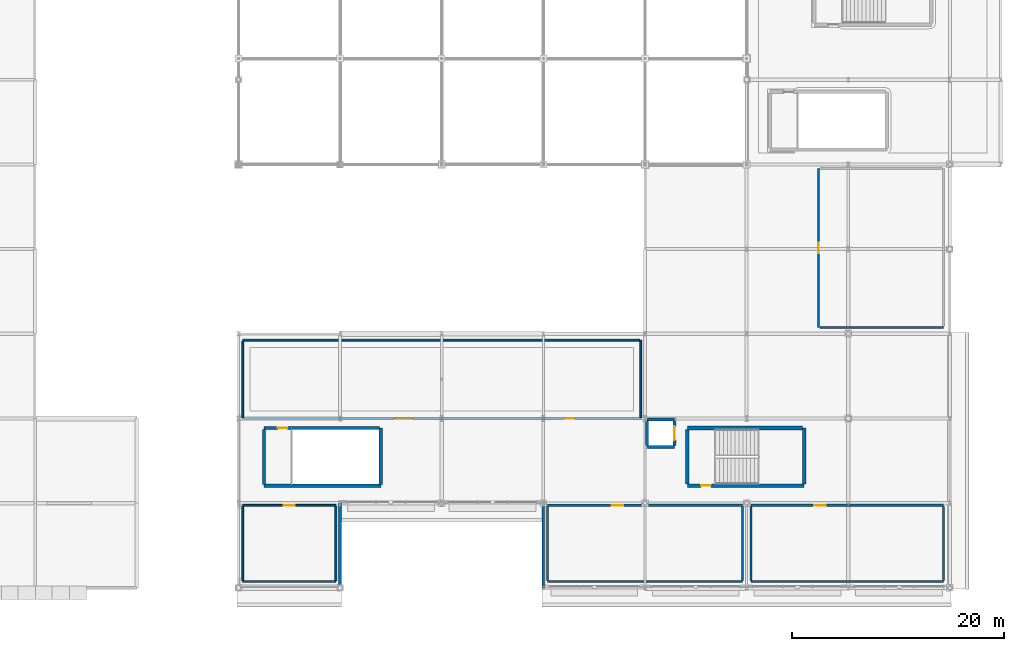
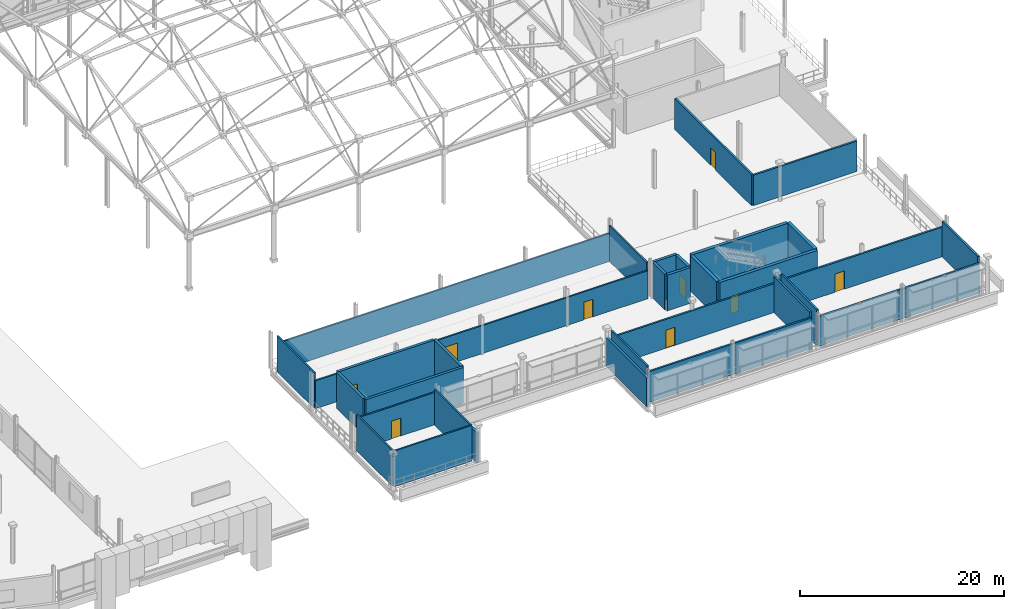
# One storey, part 155 of 193: 32 walls, 9 doors, 9 openings.
"""IFC4 building model written with IfcOpenShell, lengths in metres."""

from ifc_helpers import new_model, si_unit, direction, frame, frame_2d, origin, place, context, subcontext, project, spatial, rectangle, extrude, material, layer, layer_set, type_object, element, fill, save


model = new_model("IFC4")

# Units and contexts
model_context = context("Model", 3, precision=1e-05, world=origin(), true_north=direction((0.0, 1.0)))
body_context = subcontext(model_context, "Body", "Model", "MODEL_VIEW")
ifc_project = project(units=[si_unit("LENGTHUNIT", "METRE"), si_unit("AREAUNIT", "SQUARE_METRE"), si_unit("VOLUMEUNIT", "CUBIC_METRE"), si_unit("PLANEANGLEUNIT", "RADIAN"), si_unit("MASSUNIT", "GRAM", prefix="KILO")], contexts=[model_context])

# Site, building, storey
site_placement = place(None, origin())
site = spatial("IfcSite", under=ifc_project, at=site_placement, CompositionType="ELEMENT")
building_placement = place(site_placement, origin())
building = spatial("IfcBuilding", under=site, at=building_placement, Name="Danafjord Basin Convention Centre", CompositionType="ELEMENT")
storey_placement = place(building_placement, frame((0.0, 0.0, 11.39990234375)))
storey = spatial("IfcBuildingStorey", under=building, at=storey_placement, Name="L02", CompositionType="ELEMENT", Elevation=11.39990234375)

# Walls
ifc_material_1 = material(Name="Concrete C40/50", Category="concrete")
ifc_layer_1 = layer(ifc_material_1, 0.300048828125)
ifc_layer_set_1 = layer_set([ifc_layer_1], Name="Concrete C40/50")
wall_type_1 = type_object("IfcWallType", Name="WALL-CW-CORE300", PredefinedType="SHEAR", material=ifc_layer_set_1)
wall_1_placement = place(storey_placement, frame((146.39990234375, 9.64990234375, 0.0), z_axis=(0.0, 0.0, 1.0), x_axis=(1.0, 0.0, 0.0)))
element("IfcWall", 1, at=wall_1_placement, inside=storey, type_object=wall_type_1, Name="Harbour Pavilion West Escape Stair core shear wall (south)", PredefinedType="SHEAR", context=body_context, shape_type="SweptSolid", body=[
    extrude(rectangle(XDim=11.0400390625, YDim=0.300048828125, at=frame_2d((5.52001953125, 0.0))), origin(), (0.0, 0.0, 1.0), 4.274169921875),
])
wall_2_placement = place(storey_placement, frame((157.43994140625, 9.784912109375, 0.0), z_axis=(0.0, 0.0, 1.0), x_axis=(0.0, 1.0, 0.0)))
element("IfcWall", 2, at=wall_2_placement, inside=storey, type_object=wall_type_1, Name="Harbour Pavilion West Escape Stair core shear wall (east)", PredefinedType="SHEAR", context=body_context, shape_type="SweptSolid", body=[
    extrude(rectangle(XDim=5.3251953125, YDim=0.300048828125, at=frame_2d((2.66259765625, 0.0))), origin(), (0.0, 0.0, 1.0), 4.276123046875),
])

# Wall, opening, door
wall_3_placement = place(storey_placement, frame((157.304931640625, 15.110107421875, 0.0), z_axis=(0.0, 0.0, 1.0), x_axis=(-1.0, 0.0, 0.0)))
wall_3 = element("IfcWall", 3, at=wall_3_placement, inside=storey, type_object=wall_type_1, Name="Harbour Pavilion West Escape Stair core shear wall (north)", PredefinedType="SHEAR", context=body_context, shape_type="SweptSolid", body=[
    extrude(rectangle(XDim=10.905029296875, YDim=0.300048828125, at=frame_2d((5.45263671875, 0.0))), origin(), (0.0, 0.0, 1.0), 4.274169921875),
])
opening_1_placement = place(wall_3_placement, frame((8.68408203125, 0.0, 0.0)))
opening_1 = element("IfcOpeningElement", 4, at=opening_1_placement, cuts=wall_3, Name="Opening FD-S01", PredefinedType="OPENING", context=body_context, shape_type="SweptSolid", body=[
    extrude(rectangle(XDim=0.909912109375, YDim=2.080078125, at=frame_2d((0.455078125, 1.0400390625))), frame((0.0, 0.159912109375, 0.0), z_axis=(0.0, -1.0, 0.0), x_axis=(1.0, 0.0, 0.0)), (0.0, 0.0, 1.0), 0.320068359375),
])
ifc_material_2 = material(Name="Powder-coated steel and Nordic oak", Category="steel")
door_type_1 = type_object("IfcDoorType", Name="DOOR-FD-S01", OperationType="NOTDEFINED", PredefinedType="DOOR", material=ifc_material_2)
door_1_placement = place(opening_1_placement, origin())
door_1 = element("IfcDoor", 5, at=door_1_placement, inside=storey, type_object=door_type_1, Name="Harbour Pavilion West Escape Stair L02 Fire Exit Door", OperationType="SINGLE_SWING_LEFT", OverallHeight=2.080078125, OverallWidth=0.909912109375, PredefinedType="DOOR", context=body_context, shape_type="SweptSolid", body=[
    extrude(rectangle(XDim=0.909912109375, YDim=2.080078125, at=frame_2d((0.455078125, 1.0400390625))), frame((0.0, 0.02490234375, 0.0), z_axis=(0.0, -1.0, 0.0), x_axis=(1.0, 0.0, 0.0)), (0.0, 0.0, 1.0), 0.050048828125),
])
fill(opening_1, door_1)

# Walls
wall_4_placement = place(storey_placement, frame((146.39990234375, 14.97509765625, 0.0), z_axis=(0.0, 0.0, 1.0), x_axis=(0.0, -1.0, 0.0)))
element("IfcWall", 6, at=wall_4_placement, inside=storey, type_object=wall_type_1, Name="Harbour Pavilion West Escape Stair core shear wall (west)", PredefinedType="SHEAR", context=body_context, shape_type="SweptSolid", body=[
    extrude(rectangle(XDim=5.190185546875, YDim=0.300048828125, at=frame_2d((2.59521484375, 0.0))), origin(), (0.0, 0.0, 1.0), 4.274169921875),
])
for number, where, z_axis, x_axis, name in (
    (7, (185.199951171875, 15.89990234375, 0.0), (0.0, 0.0, 1.0), (-1.0, 0.0, 0.0), "Lift LF-P06 shaft shear wall"),
    (8, (182.60009765625, 13.300048828125, 0.0), (0.0, 0.0, 1.0), (1.0, 0.0, 0.0), "Lift LF-P06 shaft shear wall"),
):
    element("IfcWall", number, at=place(storey_placement, frame(where, z_axis=z_axis, x_axis=x_axis)), inside=storey, type_object=wall_type_1, Name=name, PredefinedType="SHEAR", context=body_context, shape_type="SweptSolid", body=[
        extrude(rectangle(XDim=2.599853515625, YDim=0.300048828125, at=frame_2d((1.2998046875, 0.0))), origin(), (0.0, 0.0, 1.0), 4.276123046875),
    ])

# Wall, opening, door
wall_5_placement = place(storey_placement, frame((185.199951171875, 13.43505859375, 0.0), z_axis=(0.0, 0.0, 1.0), x_axis=(0.0, 1.0, 0.0)))
wall_5 = element("IfcWall", 9, at=wall_5_placement, inside=storey, type_object=wall_type_1, Name="Lift LF-P06 shaft shear wall", PredefinedType="SHEAR", context=body_context, shape_type="SweptSolid", body=[
    extrude(rectangle(XDim=2.329833984375, YDim=0.300048828125, at=frame_2d((1.1650390625, 0.0))), origin(), (0.0, 0.0, 1.0), 4.276123046875),
])
opening_2_placement = place(wall_5_placement, frame((0.514892578125, 0.0, 0.0)))
opening_2 = element("IfcOpeningElement", 10, at=opening_2_placement, cuts=wall_5, Name="Opening LD-P02", PredefinedType="OPENING", context=body_context, shape_type="SweptSolid", body=[
    extrude(rectangle(XDim=1.300048828125, YDim=2.219970703125, at=frame_2d((0.64990234375, 1.10986328125))), frame((0.0, 0.159912109375, 0.0), z_axis=(0.0, -1.0, 0.0), x_axis=(1.0, 0.0, 0.0)), (0.0, 0.0, 1.0), 0.320068359375),
])
ifc_material_3 = material(Name="Brushed stainless steel and acoustic laminated glass", Category="steel")
door_type_2 = type_object("IfcDoorType", Name="DOOR-LD-P02", OperationType="DOUBLE_DOOR_SLIDING", PredefinedType="DOOR", material=ifc_material_3)
door_2_placement = place(opening_2_placement, origin())
door_2 = element("IfcDoor", 11, at=door_2_placement, inside=storey, type_object=door_type_2, Name="Lift LF-P06 L02 Landing Door", OperationType="DOUBLE_DOOR_SLIDING", OverallHeight=2.219970703125, OverallWidth=1.300048828125, PredefinedType="DOOR", context=body_context, shape_type="SweptSolid", body=[
    extrude(rectangle(XDim=1.300048828125, YDim=2.219970703125, at=frame_2d((0.64990234375, 1.10986328125))), frame((0.0, 0.02490234375, 0.0), z_axis=(0.0, -1.0, 0.0), x_axis=(1.0, 0.0, 0.0)), (0.0, 0.0, 1.0), 0.050048828125),
])
fill(opening_2, door_2)

# Wall
wall_6_placement = place(storey_placement, frame((182.60009765625, 15.764892578125, 0.0), z_axis=(0.0, 0.0, 1.0), x_axis=(0.0, -1.0, 0.0)))
element("IfcWall", 12, at=wall_6_placement, inside=storey, type_object=wall_type_1, Name="Lift LF-P06 shaft shear wall", PredefinedType="SHEAR", context=body_context, shape_type="SweptSolid", body=[
    extrude(rectangle(XDim=2.329833984375, YDim=0.300048828125, at=frame_2d((1.1650390625, 0.0))), origin(), (0.0, 0.0, 1.0), 4.276123046875),
])

# Wall, opening, door
ifc_material_4 = material(Name="Concrete C45/55", Category="concrete")
ifc_layer_2 = layer(ifc_material_4, 0.35009765625)
ifc_layer_set_2 = layer_set([ifc_layer_2], Name="Concrete C45/55")
wall_type_2 = type_object("IfcWallType", Name="WALL-CW-CORE350", PredefinedType="SHEAR", material=ifc_layer_set_2)
wall_7_placement = place(storey_placement, frame((186.39990234375, 9.64990234375, 0.0), z_axis=(0.0, 0.0, 1.0), x_axis=(1.0, 0.0, 0.0)))
wall_7 = element("IfcWall", 13, at=wall_7_placement, inside=storey, type_object=wall_type_2, Name="Harbour Pavilion Core Stair 1 core shear wall (south)", PredefinedType="SHEAR", context=body_context, shape_type="SweptSolid", body=[
    extrude(rectangle(XDim=11.0400390625, YDim=0.35009765625, at=frame_2d((5.52001953125, 0.0))), origin(), (0.0, 0.0, 1.0), 4.276123046875),
])
opening_3_placement = place(wall_7_placement, frame((1.31201171875, 0.0, 0.0)))
opening_3 = element("IfcOpeningElement", 14, at=opening_3_placement, cuts=wall_7, Name="Opening FD-S01", PredefinedType="OPENING", context=body_context, shape_type="SweptSolid", body=[
    extrude(rectangle(XDim=0.909912109375, YDim=2.080078125, at=frame_2d((0.455078125, 1.0400390625))), frame((0.0, 0.18505859375, 0.0), z_axis=(0.0, -1.0, 0.0), x_axis=(1.0, 0.0, 0.0)), (0.0, 0.0, 1.0), 0.3701171875),
])
door_3_placement = place(opening_3_placement, origin())
door_3 = element("IfcDoor", 15, at=door_3_placement, inside=storey, type_object=door_type_1, Name="Harbour Pavilion Core Stair 1 L02 Fire Exit Door", OperationType="SINGLE_SWING_RIGHT", OverallHeight=2.080078125, OverallWidth=0.909912109375, PredefinedType="DOOR", context=body_context, shape_type="SweptSolid", body=[
    extrude(rectangle(XDim=0.909912109375, YDim=2.080078125, at=frame_2d((0.455078125, 1.0400390625))), frame((0.0, 0.02490234375, 0.0), z_axis=(0.0, -1.0, 0.0), x_axis=(1.0, 0.0, 0.0)), (0.0, 0.0, 1.0), 0.050048828125),
])
fill(opening_3, door_3)

# Walls
wall_8_placement = place(storey_placement, frame((197.43994140625, 9.81005859375, 0.0), z_axis=(0.0, 0.0, 1.0), x_axis=(0.0, 1.0, 0.0)))
element("IfcWall", 16, at=wall_8_placement, inside=storey, type_object=wall_type_2, Name="Harbour Pavilion Core Stair 1 core shear wall (east)", PredefinedType="SHEAR", context=body_context, shape_type="SweptSolid", body=[
    extrude(rectangle(XDim=5.300048828125, YDim=0.35009765625, at=frame_2d((2.64990234375, 0.0))), origin(), (0.0, 0.0, 1.0), 4.276123046875),
])
wall_9_placement = place(storey_placement, frame((197.280029296875, 15.110107421875, 0.0), z_axis=(0.0, 0.0, 1.0), x_axis=(-1.0, 0.0, 0.0)))
element("IfcWall", 17, at=wall_9_placement, inside=storey, type_object=wall_type_2, Name="Harbour Pavilion Core Stair 1 core shear wall (north)", PredefinedType="SHEAR", context=body_context, shape_type="SweptSolid", body=[
    extrude(rectangle(XDim=10.880126953125, YDim=0.35009765625, at=frame_2d((5.43994140625, 0.0))), origin(), (0.0, 0.0, 1.0), 4.276123046875),
])
wall_10_placement = place(storey_placement, frame((186.39990234375, 14.949951171875, 0.0), z_axis=(0.0, 0.0, 1.0), x_axis=(0.0, -1.0, 0.0)))
element("IfcWall", 18, at=wall_10_placement, inside=storey, type_object=wall_type_2, Name="Harbour Pavilion Core Stair 1 core shear wall (west)", PredefinedType="SHEAR", context=body_context, shape_type="SweptSolid", body=[
    extrude(rectangle(XDim=5.139892578125, YDim=0.35009765625, at=frame_2d((2.56982421875, 0.0))), origin(), (0.0, 0.0, 1.0), 4.276123046875),
])
ifc_material_5 = material(Name="Concrete C35/45", Category="concrete")
ifc_layer_3 = layer(ifc_material_5, 0.260009765625)
ifc_layer_set_3 = layer_set([ifc_layer_3], Name="Concrete C35/45")
wall_type_3 = type_object("IfcWallType", Name="WALL-EW-STD260", PredefinedType="STANDARD", material=ifc_layer_set_3)
wall_11_placement = place(storey_placement, frame((153.60009765625, 0.0, 0.0), z_axis=(0.0, 0.0, 1.0), x_axis=(0.0, 1.0, 0.0)))
element("IfcWall", 19, at=wall_11_placement, inside=storey, type_object=wall_type_3, Name="Harbour entry court west cheek wall", PredefinedType="STANDARD", context=body_context, shape_type="SweptSolid", body=[
    extrude(rectangle(XDim=8.0, YDim=0.260009765625, at=frame_2d((4.0, 0.0))), origin(), (0.0, 0.0, 1.0), 3.593994140625),
])
wall_12_placement = place(storey_placement, frame((172.800048828125, 0.0, 0.0), z_axis=(0.0, 0.0, 1.0), x_axis=(0.0, 1.0, 0.0)))
element("IfcWall", 20, at=wall_12_placement, inside=storey, type_object=wall_type_3, Name="Harbour entry court east cheek wall", PredefinedType="STANDARD", context=body_context, shape_type="SweptSolid", body=[
    extrude(rectangle(XDim=8.0, YDim=0.260009765625, at=frame_2d((4.0, 0.0))), origin(), (0.0, 0.0, 1.0), 3.446044921875),
])

# Wall, openings, doors
ifc_material_6 = material(Name="Acoustic double-board gypsum stud partition")
ifc_layer_4 = layer(ifc_material_6, 0.175048828125)
ifc_layer_set_4 = layer_set([ifc_layer_4], Name="Acoustic double-board gypsum stud partition")
wall_type_4 = type_object("IfcWallType", Name="WALL-PT-AC175", PredefinedType="PARTITIONING", material=ifc_layer_set_4)
wall_13_placement = place(storey_placement, frame((144.39990234375, 16.0, 0.0), z_axis=(0.0, 0.0, 1.0), x_axis=(1.0, 0.0, 0.0)))
wall_13 = element("IfcWall", 21, at=wall_13_placement, inside=storey, type_object=wall_type_4, Name="Danafjord Delegate Dining Restaurant south partition", PredefinedType="PARTITIONING", context=body_context, shape_type="SweptSolid", body=[
    extrude(rectangle(XDim=37.60009765625, YDim=0.175048828125, at=frame_2d((18.800048828125, 0.0))), origin(), (0.0, 0.0, 1.0), 3.34619140625),
])
opening_4_placement = place(wall_13_placement, frame((14.35205078125, 0.0, 0.0)))
opening_4 = element("IfcOpeningElement", 22, at=opening_4_placement, cuts=wall_13, Name="Opening FD-D03", PredefinedType="OPENING", context=body_context, shape_type="SweptSolid", body=[
    extrude(rectangle(XDim=1.719970703125, YDim=2.239990234375, at=frame_2d((0.85986328125, 1.1201171875))), frame((0.0, 0.097412109375, 0.0), z_axis=(0.0, -1.0, 0.0), x_axis=(1.0, 0.0, 0.0)), (0.0, 0.0, 1.0), 0.195068359375),
])
opening_5_placement = place(wall_13_placement, frame((30.3779296875, 0.0, 0.0)))
opening_5 = element("IfcOpeningElement", 23, at=opening_5_placement, cuts=wall_13, Name="Opening FD-S04", PredefinedType="OPENING", context=body_context, shape_type="SweptSolid", body=[
    extrude(rectangle(XDim=1.0, YDim=2.1201171875, at=frame_2d((0.5, 1.06005859375))), frame((0.0, 0.097412109375, 0.0), z_axis=(0.0, -1.0, 0.0), x_axis=(1.0, 0.0, 0.0)), (0.0, 0.0, 1.0), 0.195068359375),
])
door_type_3 = type_object("IfcDoorType", Name="DOOR-FD-D03", OperationType="DOUBLE_DOOR_SINGLE_SWING", PredefinedType="DOOR", material=ifc_material_3)
door_4_placement = place(opening_4_placement, origin())
door_4 = element("IfcDoor", 24, at=door_4_placement, inside=storey, type_object=door_type_3, Name="Danafjord Delegate Dining Restaurant Entrance Door", OperationType="DOUBLE_DOOR_SINGLE_SWING", OverallHeight=2.239990234375, OverallWidth=1.719970703125, PredefinedType="DOOR", context=body_context, shape_type="SweptSolid", body=[
    extrude(rectangle(XDim=1.719970703125, YDim=2.239990234375, at=frame_2d((0.85986328125, 1.1201171875))), frame((0.0, 0.02490234375, 0.0), z_axis=(0.0, -1.0, 0.0), x_axis=(1.0, 0.0, 0.0)), (0.0, 0.0, 1.0), 0.050048828125),
])
fill(opening_4, door_4)
door_type_4 = type_object("IfcDoorType", Name="DOOR-FD-S04", OperationType="NOTDEFINED", PredefinedType="DOOR", material=ifc_material_2)
door_5_placement = place(opening_5_placement, origin())
door_5 = element("IfcDoor", 25, at=door_5_placement, inside=storey, type_object=door_type_4, Name="Danafjord Delegate Dining Restaurant Secondary Exit Door", OperationType="SINGLE_SWING_LEFT", OverallHeight=2.1201171875, OverallWidth=1.0, PredefinedType="DOOR", context=body_context, shape_type="SweptSolid", body=[
    extrude(rectangle(XDim=1.0, YDim=2.1201171875, at=frame_2d((0.5, 1.06005859375))), frame((0.0, 0.02490234375, 0.0), z_axis=(0.0, -1.0, 0.0), x_axis=(1.0, 0.0, 0.0)), (0.0, 0.0, 1.0), 0.050048828125),
])
fill(opening_5, door_5)

# Walls
wall_14_placement = place(storey_placement, frame((182.0, 16.091552734375, 0.0), z_axis=(0.0, 0.0, 1.0), x_axis=(0.0, 1.0, 0.0)))
element("IfcWall", 26, at=wall_14_placement, inside=storey, type_object=wall_type_4, Name="Danafjord Delegate Dining Restaurant east partition", PredefinedType="PARTITIONING", context=body_context, shape_type="SweptSolid", body=[
    extrude(rectangle(XDim=7.308349609375, YDim=0.175048828125, at=frame_2d((3.654296875, 0.0))), origin(), (0.0, 0.0, 1.0), 4.276123046875),
])
wall_15_placement = place(storey_placement, frame((181.908447265625, 23.39990234375, 0.0), z_axis=(0.0, 0.0, 1.0), x_axis=(-1.0, 0.0, 0.0)))
element("IfcWall", 27, at=wall_15_placement, inside=storey, type_object=wall_type_4, Name="Danafjord Delegate Dining Restaurant north partition", PredefinedType="PARTITIONING", context=body_context, shape_type="SweptSolid", body=[
    extrude(rectangle(XDim=37.508544921875, YDim=0.175048828125, at=frame_2d((18.75439453125, 0.0))), origin(), (0.0, 0.0, 1.0), 3.34619140625),
])
wall_16_placement = place(storey_placement, frame((144.39990234375, 23.30859375, 0.0), z_axis=(0.0, 0.0, 1.0), x_axis=(0.0, -1.0, 0.0)))
element("IfcWall", 28, at=wall_16_placement, inside=storey, type_object=wall_type_4, Name="Danafjord Delegate Dining Restaurant west partition", PredefinedType="PARTITIONING", context=body_context, shape_type="SweptSolid", body=[
    extrude(rectangle(XDim=7.217041015625, YDim=0.175048828125, at=frame_2d((3.6083984375, 0.0))), origin(), (0.0, 0.0, 1.0), 4.274169921875),
])

# Wall, opening, door
wall_17_placement = place(storey_placement, frame((153.199951171875, 7.800048828125, 0.0), z_axis=(0.0, 0.0, 1.0), x_axis=(-1.0, 0.0, 0.0)))
wall_17 = element("IfcWall", 29, at=wall_17_placement, inside=storey, type_object=wall_type_4, Name="Speaker Press Reading Suite north partition", PredefinedType="PARTITIONING", context=body_context, shape_type="SweptSolid", body=[
    extrude(rectangle(XDim=8.800048828125, YDim=0.175048828125, at=frame_2d((4.39990234375, 0.0))), origin(), (0.0, 0.0, 1.0), 3.85400390625),
])
opening_6_placement = place(wall_17_placement, frame((3.885009765625, 0.0, 0.0)))
opening_6 = element("IfcOpeningElement", 30, at=opening_6_placement, cuts=wall_17, Name="Opening FD-S05", PredefinedType="OPENING", context=body_context, shape_type="SweptSolid", body=[
    extrude(rectangle(XDim=1.030029296875, YDim=2.139892578125, at=frame_2d((0.51513671875, 1.06982421875))), frame((0.0, 0.097412109375, 0.0), z_axis=(0.0, -1.0, 0.0), x_axis=(1.0, 0.0, 0.0)), (0.0, 0.0, 1.0), 0.195068359375),
])
door_type_5 = type_object("IfcDoorType", Name="DOOR-FD-S05", OperationType="NOTDEFINED", PredefinedType="DOOR", material=ifc_material_2)
door_6_placement = place(opening_6_placement, origin())
door_6 = element("IfcDoor", 31, at=door_6_placement, inside=storey, type_object=door_type_5, Name="Speaker Press Reading Suite Entrance Door", OperationType="SINGLE_SWING_RIGHT", OverallHeight=2.139892578125, OverallWidth=1.030029296875, PredefinedType="DOOR", context=body_context, shape_type="SweptSolid", body=[
    extrude(rectangle(XDim=1.030029296875, YDim=2.139892578125, at=frame_2d((0.51513671875, 1.06982421875))), frame((0.0, 0.02490234375, 0.0), z_axis=(0.0, -1.0, 0.0), x_axis=(1.0, 0.0, 0.0)), (0.0, 0.0, 1.0), 0.050048828125),
])
fill(opening_6, door_6)

# Walls
wall_18_placement = place(storey_placement, frame((144.39990234375, 0.60009765625, 0.0), z_axis=(0.0, 0.0, 1.0), x_axis=(1.0, 0.0, 0.0)))
element("IfcWall", 32, at=wall_18_placement, inside=storey, type_object=wall_type_4, Name="Speaker Press Reading Suite south partition", PredefinedType="PARTITIONING", context=body_context, shape_type="SweptSolid", body=[
    extrude(rectangle(XDim=8.800048828125, YDim=0.175048828125, at=frame_2d((4.39990234375, 0.0))), origin(), (0.0, 0.0, 1.0), 4.274169921875),
])
for number, where, z_axis, x_axis, name in (
    (33, (153.199951171875, 0.69140625, 0.0), (0.0, 0.0, 1.0), (0.0, 1.0, 0.0), "Speaker Press Reading Suite east partition"),
    (34, (144.39990234375, 7.70849609375, 0.0), (0.0, 0.0, 1.0), (0.0, -1.0, 0.0), "Speaker Press Reading Suite west partition"),
):
    element("IfcWall", number, at=place(storey_placement, frame(where, z_axis=z_axis, x_axis=x_axis)), inside=storey, type_object=wall_type_4, Name=name, PredefinedType="PARTITIONING", context=body_context, shape_type="SweptSolid", body=[
        extrude(rectangle(XDim=7.01708984375, YDim=0.175048828125, at=frame_2d((3.508544921875, 0.0))), origin(), (0.0, 0.0, 1.0), 4.274169921875),
    ])

# Wall, opening, door
ifc_layer_5 = layer(ifc_material_5, 0.205078125)
ifc_layer_set_5 = layer_set([ifc_layer_5], Name="Concrete C35/45")
wall_type_5 = type_object("IfcWallType", Name="WALL-W-COMP205", PredefinedType="SOLIDWALL", material=ifc_layer_set_5)
wall_19_placement = place(storey_placement, frame((198.800048828125, 39.60009765625, 0.0), z_axis=(0.0, 0.0, 1.0), x_axis=(0.0, -1.0, 0.0)))
wall_19 = element("IfcWall", 35, at=wall_19_placement, inside=storey, type_object=wall_type_5, Name="Delegate Dining Kitchen west partition", PredefinedType="SOLIDWALL", context=body_context, shape_type="SweptSolid", body=[
    extrude(rectangle(XDim=15.0, YDim=0.205078125, at=frame_2d((7.5, 0.0))), origin(), (0.0, 0.0, 1.0), 3.734130859375),
])
opening_7_placement = place(wall_19_placement, frame((7.014892578125, 0.0, 0.0)))
opening_7 = element("IfcOpeningElement", 36, at=opening_7_placement, cuts=wall_19, Name="Opening FD-S03", PredefinedType="OPENING", context=body_context, shape_type="SweptSolid", body=[
    extrude(rectangle(XDim=0.969970703125, YDim=2.10009765625, at=frame_2d((0.48486328125, 1.050048828125))), frame((0.0, 0.112548828125, 0.0), z_axis=(0.0, -1.0, 0.0), x_axis=(1.0, 0.0, 0.0)), (0.0, 0.0, 1.0), 0.22509765625),
])
door_type_6 = type_object("IfcDoorType", Name="DOOR-FD-S03", OperationType="NOTDEFINED", PredefinedType="DOOR", material=ifc_material_2)
door_7_placement = place(opening_7_placement, origin())
door_7 = element("IfcDoor", 37, at=door_7_placement, inside=storey, type_object=door_type_6, Name="Delegate Dining Kitchen Entrance Door", OperationType="SINGLE_SWING_RIGHT", OverallHeight=2.10009765625, OverallWidth=0.969970703125, PredefinedType="DOOR", context=body_context, shape_type="SweptSolid", body=[
    extrude(rectangle(XDim=0.969970703125, YDim=2.10009765625, at=frame_2d((0.48486328125, 1.050048828125))), frame((0.0, 0.02490234375, 0.0), z_axis=(0.0, -1.0, 0.0), x_axis=(1.0, 0.0, 0.0)), (0.0, 0.0, 1.0), 0.050048828125),
])
fill(opening_7, door_7)

# Wall
wall_20_placement = place(storey_placement, frame((198.906494140625, 24.60009765625, 0.0), z_axis=(0.0, 0.0, 1.0), x_axis=(1.0, 0.0, 0.0)))
element("IfcWall", 38, at=wall_20_placement, inside=storey, type_object=wall_type_5, Name="Delegate Dining Kitchen south partition", PredefinedType="SOLIDWALL", context=body_context, shape_type="SweptSolid", body=[
    extrude(rectangle(XDim=11.693603515625, YDim=0.205078125, at=frame_2d((5.8466796875, 0.0))), origin(), (0.0, 0.0, 1.0), 3.634033203125),
])

# Wall, opening, door
wall_21_placement = place(storey_placement, frame((191.60009765625, 7.800048828125, 0.0), z_axis=(0.0, 0.0, 1.0), x_axis=(-1.0, 0.0, 0.0)))
wall_21 = element("IfcWall", 39, at=wall_21_placement, inside=storey, type_object=wall_type_5, Name="Banquet Cloakroom and Chair Store north partition", PredefinedType="SOLIDWALL", context=body_context, shape_type="SweptSolid", body=[
    extrude(rectangle(XDim=18.400146484375, YDim=0.205078125, at=frame_2d((9.2001953125, 0.0))), origin(), (0.0, 0.0, 1.0), 3.446044921875),
])
opening_8_placement = place(wall_21_placement, frame((11.27099609375, 0.0, 0.0)))
opening_8 = element("IfcOpeningElement", 40, at=opening_8_placement, cuts=wall_21, Name="Opening FD-S06", PredefinedType="OPENING", context=body_context, shape_type="SweptSolid", body=[
    extrude(rectangle(XDim=1.06005859375, YDim=2.159912109375, at=frame_2d((0.530029296875, 1.080078125))), frame((0.0, 0.112548828125, 0.0), z_axis=(0.0, -1.0, 0.0), x_axis=(1.0, 0.0, 0.0)), (0.0, 0.0, 1.0), 0.22509765625),
])
door_type_7 = type_object("IfcDoorType", Name="DOOR-FD-S06", OperationType="NOTDEFINED", PredefinedType="DOOR", material=ifc_material_2)
door_8_placement = place(opening_8_placement, origin())
door_8 = element("IfcDoor", 41, at=door_8_placement, inside=storey, type_object=door_type_7, Name="Banquet Cloakroom and Chair Store Entrance Door", OperationType="SINGLE_SWING_LEFT", OverallHeight=2.159912109375, OverallWidth=1.06005859375, PredefinedType="DOOR", context=body_context, shape_type="SweptSolid", body=[
    extrude(rectangle(XDim=1.06005859375, YDim=2.159912109375, at=frame_2d((0.530029296875, 1.080078125))), frame((0.0, 0.02490234375, 0.0), z_axis=(0.0, -1.0, 0.0), x_axis=(1.0, 0.0, 0.0)), (0.0, 0.0, 1.0), 0.050048828125),
])
fill(opening_8, door_8)

# Walls
wall_22_placement = place(storey_placement, frame((173.199951171875, 0.60009765625, 0.0), z_axis=(0.0, 0.0, 1.0), x_axis=(1.0, 0.0, 0.0)))
element("IfcWall", 42, at=wall_22_placement, inside=storey, type_object=wall_type_5, Name="Banquet Cloakroom and Chair Store south partition", PredefinedType="SOLIDWALL", context=body_context, shape_type="SweptSolid", body=[
    extrude(rectangle(XDim=18.400146484375, YDim=0.205078125, at=frame_2d((9.2001953125, 0.0))), origin(), (0.0, 0.0, 1.0), 3.696044921875),
])
for number, where, z_axis, x_axis, name in (
    (43, (191.60009765625, 0.70654296875, 0.0), (0.0, 0.0, 1.0), (0.0, 1.0, 0.0), "Banquet Cloakroom and Chair Store east partition"),
    (44, (173.199951171875, 7.693603515625, 0.0), (0.0, 0.0, 1.0), (0.0, -1.0, 0.0), "Banquet Cloakroom and Chair Store west partition"),
):
    element("IfcWall", number, at=place(storey_placement, frame(where, z_axis=z_axis, x_axis=x_axis)), inside=storey, type_object=wall_type_5, Name=name, PredefinedType="SOLIDWALL", context=body_context, shape_type="SweptSolid", body=[
        extrude(rectangle(XDim=6.987060546875, YDim=0.205078125, at=frame_2d((3.49365234375, 0.0))), origin(), (0.0, 0.0, 1.0), 4.276123046875),
    ])

# Wall, opening, door
wall_23_placement = place(storey_placement, frame((210.60009765625, 7.800048828125, 0.0), z_axis=(0.0, 0.0, 1.0), x_axis=(-1.0, 0.0, 0.0)))
wall_23 = element("IfcWall", 45, at=wall_23_placement, inside=storey, type_object=wall_type_5, Name="East Wing AHU Plant Room north partition", PredefinedType="SOLIDWALL", context=body_context, shape_type="SweptSolid", body=[
    extrude(rectangle(XDim=18.2001953125, YDim=0.205078125, at=frame_2d((9.10009765625, 0.0))), origin(), (0.0, 0.0, 1.0), 3.546142578125),
])
opening_9_placement = place(wall_23_placement, frame((11.12109375, 0.0, 0.0)))
opening_9 = element("IfcOpeningElement", 46, at=opening_9_placement, cuts=wall_23, Name="Opening FD-S07", PredefinedType="OPENING", context=body_context, shape_type="SweptSolid", body=[
    extrude(rectangle(XDim=1.090087890625, YDim=2.179931640625, at=frame_2d((0.544921875, 1.08984375))), frame((0.0, 0.112548828125, 0.0), z_axis=(0.0, -1.0, 0.0), x_axis=(1.0, 0.0, 0.0)), (0.0, 0.0, 1.0), 0.22509765625),
])
door_type_8 = type_object("IfcDoorType", Name="DOOR-FD-S07", OperationType="NOTDEFINED", PredefinedType="DOOR", material=ifc_material_2)
door_9_placement = place(opening_9_placement, origin())
door_9 = element("IfcDoor", 47, at=door_9_placement, inside=storey, type_object=door_type_8, Name="East Wing AHU Plant Room Entrance Door", OperationType="SINGLE_SWING_RIGHT", OverallHeight=2.179931640625, OverallWidth=1.090087890625, PredefinedType="DOOR", context=body_context, shape_type="SweptSolid", body=[
    extrude(rectangle(XDim=1.090087890625, YDim=2.179931640625, at=frame_2d((0.544921875, 1.08984375))), frame((0.0, 0.02490234375, 0.0), z_axis=(0.0, -1.0, 0.0), x_axis=(1.0, 0.0, 0.0)), (0.0, 0.0, 1.0), 0.050048828125),
])
fill(opening_9, door_9)

# Walls
wall_24_placement = place(storey_placement, frame((192.39990234375, 0.60009765625, 0.0), z_axis=(0.0, 0.0, 1.0), x_axis=(1.0, 0.0, 0.0)))
element("IfcWall", 48, at=wall_24_placement, inside=storey, type_object=wall_type_5, Name="East Wing AHU Plant Room south partition", PredefinedType="SOLIDWALL", context=body_context, shape_type="SweptSolid", body=[
    extrude(rectangle(XDim=18.2001953125, YDim=0.205078125, at=frame_2d((9.10009765625, 0.0))), origin(), (0.0, 0.0, 1.0), 3.546142578125),
])
for number, where, z_axis, x_axis, name in (
    (49, (210.60009765625, 0.70654296875, 0.0), (0.0, 0.0, 1.0), (0.0, 1.0, 0.0), "East Wing AHU Plant Room east partition"),
    (50, (192.39990234375, 7.693603515625, 0.0), (0.0, 0.0, 1.0), (0.0, -1.0, 0.0), "East Wing AHU Plant Room west partition"),
):
    element("IfcWall", number, at=place(storey_placement, frame(where, z_axis=z_axis, x_axis=x_axis)), inside=storey, type_object=wall_type_5, Name=name, PredefinedType="SOLIDWALL", context=body_context, shape_type="SweptSolid", body=[
        extrude(rectangle(XDim=6.987060546875, YDim=0.205078125, at=frame_2d((3.49365234375, 0.0))), origin(), (0.0, 0.0, 1.0), 4.276123046875),
    ])

save(model, "model.ifc")
